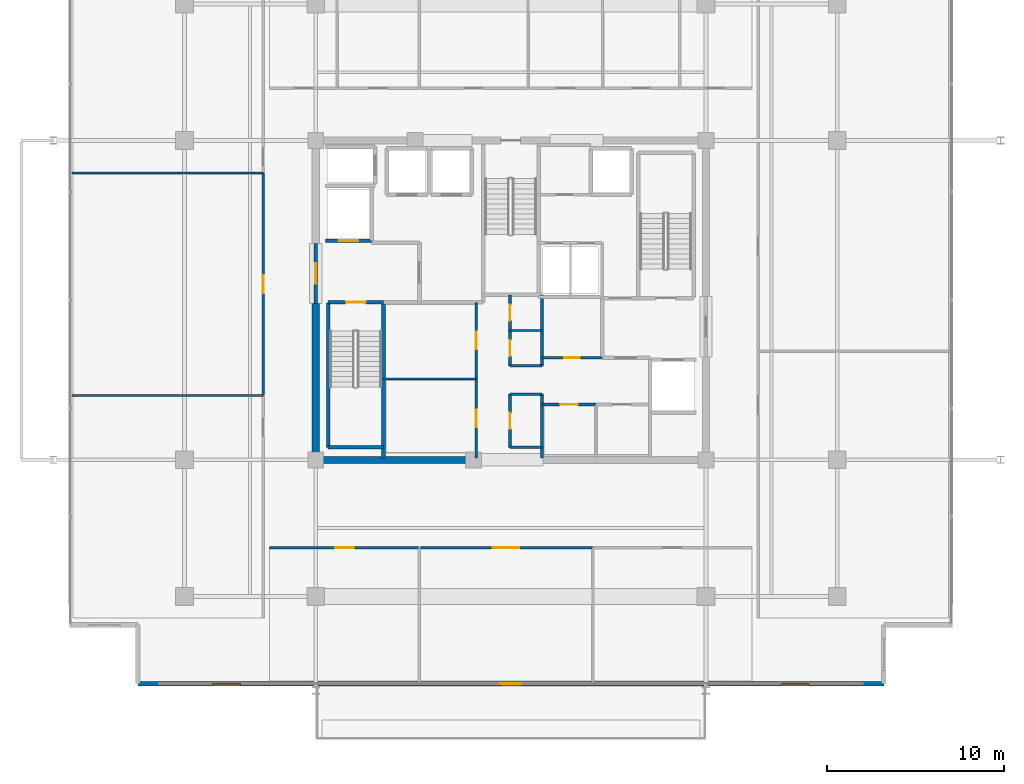
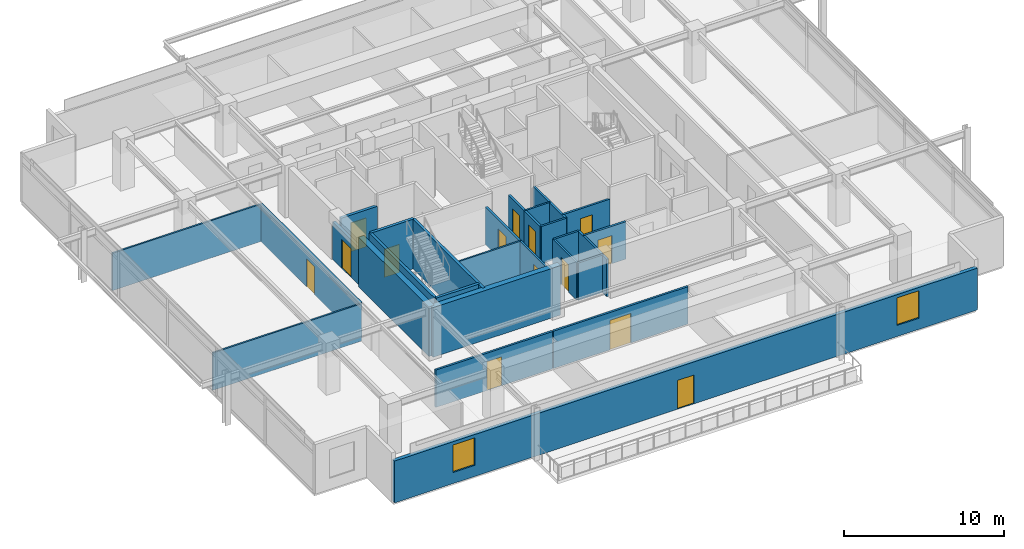
# One storey, part 14 of 21: 28 walls, 14 doors, 2 windows, 16 openings.
"""IFC4 building model written with IfcOpenShell, lengths in metres."""

from ifc_helpers import new_model, si_unit, direction, frame, frame_2d, origin, place, context, subcontext, project, spatial, rectangle, extrude, material, layer, layer_set, type_object, element, fill, save


model = new_model("IFC4")

# Units and contexts
model_context = context("Model", 3, precision=1e-05, world=origin(), true_north=direction((0.0, 1.0)))
body_context = subcontext(model_context, "Body", "Model", "MODEL_VIEW")
ifc_project = project(units=[si_unit("LENGTHUNIT", "METRE"), si_unit("AREAUNIT", "SQUARE_METRE"), si_unit("VOLUMEUNIT", "CUBIC_METRE"), si_unit("PLANEANGLEUNIT", "RADIAN"), si_unit("MASSUNIT", "GRAM", prefix="KILO")], contexts=[model_context])

# Site, building, storey
site_placement = place(None, origin())
site = spatial("IfcSite", under=ifc_project, at=site_placement, CompositionType="ELEMENT")
building_placement = place(site_placement, origin())
building = spatial("IfcBuilding", under=site, at=building_placement, Name="Kovane Verandah Tower", CompositionType="ELEMENT")
storey_placement = place(building_placement, frame((0.0, 0.0, 326.800048828125)))
storey = spatial("IfcBuildingStorey", under=building, at=storey_placement, Name="L76", CompositionType="ELEMENT", Elevation=326.800048828125)

# Walls
ifc_material_1 = material(Name="Fire-Rated Gypsum Stud Partition", Category="gypsum")
ifc_layer_1 = layer(ifc_material_1, 0.14990234375)
ifc_layer_set_1 = layer_set([ifc_layer_1], Name="Fire-Rated Gypsum Stud Partition")
wall_type_1 = type_object("IfcWallType", Name="WL-COR-150", PredefinedType="PARTITIONING", material=ifc_layer_set_1)
for number, where, z_axis, x_axis, name in (
    (1, (39.949951171875, 19.199951171875, 0.0), (0.0, 0.0, 1.0), (1.0, 0.0, 0.0), "L76 Central Core Strip South Wall"),
    (2, (39.949951171875, 22.199951171875, 0.0), (0.0, 0.0, 1.0), (1.0, 0.0, 0.0), "L76 Core Cross-Passage South Wall"),
    (3, (39.949951171875, 23.800048828125, 0.0), (0.0, 0.0, 1.0), (1.0, 0.0, 0.0), "L76 Core Cross-Passage North Wall"),
):
    element("IfcWall", number, at=place(storey_placement, frame(where, z_axis=z_axis, x_axis=x_axis)), inside=storey, type_object=wall_type_1, Name=name, PredefinedType="PARTITIONING", context=body_context, shape_type="SweptSolid", body=[
        extrude(rectangle(XDim=1.81005859375, YDim=0.14990234375, at=frame_2d((0.905029296875, 0.0))), origin(), (0.0, 0.0, 1.0), 2.849853515625),
    ])
wall_1_placement = place(storey_placement, frame((41.760009765625, 18.60009765625, 0.0), z_axis=(0.0, 0.0, 1.0), x_axis=(0.0, 1.0, 0.0)))
element("IfcWall", 4, at=wall_1_placement, inside=storey, type_object=wall_type_1, Name="L76 Central Core Strip Lower East Wall", PredefinedType="PARTITIONING", context=body_context, shape_type="SweptSolid", body=[
    extrude(rectangle(XDim=3.599853515625, YDim=0.14990234375, at=frame_2d((1.7998046875, 0.0))), origin(), (0.0, 0.0, 1.0), 2.849853515625),
])
wall_2_placement = place(storey_placement, frame((41.760009765625, 23.800048828125, 0.0), z_axis=(0.0, 0.0, 1.0), x_axis=(0.0, 1.0, 0.0)))
element("IfcWall", 5, at=wall_2_placement, inside=storey, type_object=wall_type_1, Name="L76 Central Core Strip Upper East Wall", PredefinedType="PARTITIONING", context=body_context, shape_type="SweptSolid", body=[
    extrude(rectangle(XDim=4.0, YDim=0.14990234375, at=frame_2d((2.0, 0.0))), origin(), (0.0, 0.0, 1.0), 2.849853515625),
])

# Wall, opening, door
wall_3_placement = place(storey_placement, frame((39.949951171875, 19.199951171875, 0.0), z_axis=(0.0, 0.0, 1.0), x_axis=(0.0, 1.0, 0.0)))
wall_3 = element("IfcWall", 6, at=wall_3_placement, inside=storey, type_object=wall_type_1, Name="L76 Male Toilet Partition", PredefinedType="PARTITIONING", context=body_context, shape_type="SweptSolid", body=[
    extrude(rectangle(XDim=3.0, YDim=0.14990234375, at=frame_2d((1.5, 0.0))), origin(), (0.0, 0.0, 1.0), 2.849853515625),
])
opening_1_placement = place(wall_3_placement, frame((1.050048828125, 0.0, 0.0)))
opening_1 = element("IfcOpeningElement", 7, at=opening_1_placement, cuts=wall_3, Name="Opening DR-L76-032", PredefinedType="OPENING", context=body_context, shape_type="SweptSolid", body=[
    extrude(rectangle(XDim=0.89990234375, YDim=2.10009765625, at=frame_2d((0.449951171875, 1.050048828125))), frame((0.0, 0.074951171875, 0.0), z_axis=(0.0, -1.0, 0.0), x_axis=(1.0, 0.0, 0.0)), (0.0, 0.0, 1.0), 0.14990234375),
])
ifc_material_2 = material(Name="Moisture-Resistant Laminate Washroom Door", Category="wood")
door_type_1 = type_object("IfcDoorType", Name="DR-WC-900", OperationType="SINGLE_SWING_LEFT", PredefinedType="DOOR", material=ifc_material_2)
door_1_placement = place(opening_1_placement, origin())
door_1 = element("IfcDoor", 8, at=door_1_placement, inside=storey, type_object=door_type_1, Name="L76 Male Toilet Door", OperationType="SINGLE_SWING_RIGHT", OverallHeight=2.10009765625, OverallWidth=0.89990234375, PredefinedType="DOOR", context=body_context, shape_type="SweptSolid", body=[
    extrude(rectangle(XDim=0.89990234375, YDim=2.10009765625, at=frame_2d((0.449951171875, 1.050048828125))), frame((0.0, 0.02490234375, 0.0), z_axis=(0.0, -1.0, 0.0), x_axis=(1.0, 0.0, 0.0)), (0.0, 0.0, 1.0), 0.050048828125),
])
fill(opening_1, door_1)

wall_4_placement = place(storey_placement, frame((39.949951171875, 23.800048828125, 0.0), z_axis=(0.0, 0.0, 1.0), x_axis=(0.0, 1.0, 0.0)))
wall_4 = element("IfcWall", 9, at=wall_4_placement, inside=storey, type_object=wall_type_1, Name="L76 Female Toilet Partition", PredefinedType="PARTITIONING", context=body_context, shape_type="SweptSolid", body=[
    extrude(rectangle(XDim=2.0, YDim=0.14990234375, at=frame_2d((1.0, 0.0))), origin(), (0.0, 0.0, 1.0), 2.849853515625),
])
opening_2_placement = place(wall_4_placement, frame((0.550048828125, 0.0, 0.0)))
opening_2 = element("IfcOpeningElement", 10, at=opening_2_placement, cuts=wall_4, Name="Opening DR-L76-031", PredefinedType="OPENING", context=body_context, shape_type="SweptSolid", body=[
    extrude(rectangle(XDim=0.89990234375, YDim=2.10009765625, at=frame_2d((0.449951171875, 1.050048828125))), frame((0.0, 0.074951171875, 0.0), z_axis=(0.0, -1.0, 0.0), x_axis=(1.0, 0.0, 0.0)), (0.0, 0.0, 1.0), 0.14990234375),
])
door_2_placement = place(opening_2_placement, origin())
door_2 = element("IfcDoor", 11, at=door_2_placement, inside=storey, type_object=door_type_1, Name="L76 Female Toilet Door", OperationType="SINGLE_SWING_LEFT", OverallHeight=2.10009765625, OverallWidth=0.89990234375, PredefinedType="DOOR", context=body_context, shape_type="SweptSolid", body=[
    extrude(rectangle(XDim=0.89990234375, YDim=2.10009765625, at=frame_2d((0.449951171875, 1.050048828125))), frame((0.0, 0.02490234375, 0.0), z_axis=(0.0, -1.0, 0.0), x_axis=(1.0, 0.0, 0.0)), (0.0, 0.0, 1.0), 0.050048828125),
])
fill(opening_2, door_2)

wall_5_placement = place(storey_placement, frame((39.949951171875, 25.800048828125, 0.0), z_axis=(0.0, 0.0, 1.0), x_axis=(0.0, 1.0, 0.0)))
wall_5 = element("IfcWall", 12, at=wall_5_placement, inside=storey, type_object=wall_type_1, Name="L76 Accessible Unisex Toilet Partition", PredefinedType="PARTITIONING", context=body_context, shape_type="SweptSolid", body=[
    extrude(rectangle(XDim=2.0, YDim=0.14990234375, at=frame_2d((1.0, 0.0))), origin(), (0.0, 0.0, 1.0), 2.849853515625),
])
opening_3_placement = place(wall_5_placement, frame((0.550048828125, 0.0, 0.0)))
opening_3 = element("IfcOpeningElement", 13, at=opening_3_placement, cuts=wall_5, Name="Opening DR-L76-030", PredefinedType="OPENING", context=body_context, shape_type="SweptSolid", body=[
    extrude(rectangle(XDim=0.89990234375, YDim=2.10009765625, at=frame_2d((0.449951171875, 1.050048828125))), frame((0.0, 0.074951171875, 0.0), z_axis=(0.0, -1.0, 0.0), x_axis=(1.0, 0.0, 0.0)), (0.0, 0.0, 1.0), 0.14990234375),
])
door_3_placement = place(opening_3_placement, origin())
door_3 = element("IfcDoor", 14, at=door_3_placement, inside=storey, type_object=door_type_1, Name="L76 Accessible Unisex Toilet Door", OperationType="SINGLE_SWING_RIGHT", OverallHeight=2.10009765625, OverallWidth=0.89990234375, PredefinedType="DOOR", context=body_context, shape_type="SweptSolid", body=[
    extrude(rectangle(XDim=0.89990234375, YDim=2.10009765625, at=frame_2d((0.449951171875, 1.050048828125))), frame((0.0, 0.02490234375, 0.0), z_axis=(0.0, -1.0, 0.0), x_axis=(1.0, 0.0, 0.0)), (0.0, 0.0, 1.0), 0.050048828125),
])
fill(opening_3, door_3)

wall_6_placement = place(storey_placement, frame((38.050048828125, 18.60009765625, 0.0), z_axis=(0.0, 0.0, 1.0), x_axis=(0.0, 1.0, 0.0)))
wall_6 = element("IfcWall", 15, at=wall_6_placement, inside=storey, type_object=wall_type_1, Name="L76 IT Server Room Partition", PredefinedType="PARTITIONING", context=body_context, shape_type="SweptSolid", body=[
    extrude(rectangle(XDim=4.4599609375, YDim=0.14990234375, at=frame_2d((2.22998046875, 0.0))), origin(), (0.0, 0.0, 1.0), 2.849853515625),
])
opening_4_placement = place(wall_6_placement, frame((1.72998046875, 0.0, 0.0)))
opening_4 = element("IfcOpeningElement", 16, at=opening_4_placement, cuts=wall_6, Name="Opening DR-L76-013", PredefinedType="OPENING", context=body_context, shape_type="SweptSolid", body=[
    extrude(rectangle(XDim=1.0, YDim=2.14990234375, at=frame_2d((0.5, 1.074951171875))), frame((0.0, 0.074951171875, 0.0), z_axis=(0.0, -1.0, 0.0), x_axis=(1.0, 0.0, 0.0)), (0.0, 0.0, 1.0), 0.14990234375),
])
ifc_material_3 = material(Name="FSC Spotted-Gum Timber Fire-Rated Office Door", Category="wood")
door_type_2 = type_object("IfcDoorType", Name="DR-OFF-1000", OperationType="SINGLE_SWING_LEFT", PredefinedType="DOOR", material=ifc_material_3)
door_4_placement = place(opening_4_placement, origin())
door_4 = element("IfcDoor", 17, at=door_4_placement, inside=storey, type_object=door_type_2, Name="L76 IT Server Room Door", OperationType="SINGLE_SWING_LEFT", OverallHeight=2.14990234375, OverallWidth=1.0, PredefinedType="DOOR", context=body_context, shape_type="SweptSolid", body=[
    extrude(rectangle(XDim=1.0, YDim=2.14990234375, at=frame_2d((0.5, 1.074951171875))), frame((0.0, 0.02490234375, 0.0), z_axis=(0.0, -1.0, 0.0), x_axis=(1.0, 0.0, 0.0)), (0.0, 0.0, 1.0), 0.050048828125),
])
fill(opening_4, door_4)

wall_7_placement = place(storey_placement, frame((38.050048828125, 23.06005859375, 0.0), z_axis=(0.0, 0.0, 1.0), x_axis=(0.0, 1.0, 0.0)))
wall_7 = element("IfcWall", 18, at=wall_7_placement, inside=storey, type_object=wall_type_1, Name="L76 Telecom MDF Room Partition", PredefinedType="PARTITIONING", context=body_context, shape_type="SweptSolid", body=[
    extrude(rectangle(XDim=4.31982421875, YDim=0.14990234375, at=frame_2d((2.159912109375, 0.0))), origin(), (0.0, 0.0, 1.0), 2.849853515625),
])
opening_5_placement = place(wall_7_placement, frame((1.659912109375, 0.0, 0.0)))
opening_5 = element("IfcOpeningElement", 19, at=opening_5_placement, cuts=wall_7, Name="Opening DR-L76-014", PredefinedType="OPENING", context=body_context, shape_type="SweptSolid", body=[
    extrude(rectangle(XDim=1.0, YDim=2.14990234375, at=frame_2d((0.5, 1.074951171875))), frame((0.0, 0.074951171875, 0.0), z_axis=(0.0, -1.0, 0.0), x_axis=(1.0, 0.0, 0.0)), (0.0, 0.0, 1.0), 0.14990234375),
])
door_5_placement = place(opening_5_placement, origin())
door_5 = element("IfcDoor", 20, at=door_5_placement, inside=storey, type_object=door_type_2, Name="L76 Telecom MDF Room Door", OperationType="SINGLE_SWING_RIGHT", OverallHeight=2.14990234375, OverallWidth=1.0, PredefinedType="DOOR", context=body_context, shape_type="SweptSolid", body=[
    extrude(rectangle(XDim=1.0, YDim=2.14990234375, at=frame_2d((0.5, 1.074951171875))), frame((0.0, 0.02490234375, 0.0), z_axis=(0.0, -1.0, 0.0), x_axis=(1.0, 0.0, 0.0)), (0.0, 0.0, 1.0), 0.050048828125),
])
fill(opening_5, door_5)

wall_8_placement = place(storey_placement, frame((41.760009765625, 21.6201171875, 0.0), z_axis=(0.0, 0.0, 1.0), x_axis=(1.0, 0.0, 0.0)))
wall_8 = element("IfcWall", 21, at=wall_8_placement, inside=storey, type_object=wall_type_1, Name="L76 AV Control Room Partition", PredefinedType="PARTITIONING", context=body_context, shape_type="SweptSolid", body=[
    extrude(rectangle(XDim=3.0400390625, YDim=0.14990234375, at=frame_2d((1.52001953125, 0.0))), origin(), (0.0, 0.0, 1.0), 2.849853515625),
])
opening_6_placement = place(wall_8_placement, frame((1.02001953125, 0.0, 0.0)))
opening_6 = element("IfcOpeningElement", 22, at=opening_6_placement, cuts=wall_8, Name="Opening DR-L76-015", PredefinedType="OPENING", context=body_context, shape_type="SweptSolid", body=[
    extrude(rectangle(XDim=1.0, YDim=2.14990234375, at=frame_2d((0.5, 1.074951171875))), frame((0.0, 0.074951171875, 0.0), z_axis=(0.0, -1.0, 0.0), x_axis=(1.0, 0.0, 0.0)), (0.0, 0.0, 1.0), 0.14990234375),
])
door_6_placement = place(opening_6_placement, origin())
door_6 = element("IfcDoor", 23, at=door_6_placement, inside=storey, type_object=door_type_2, Name="L76 AV Control Room Door", OperationType="SINGLE_SWING_LEFT", OverallHeight=2.14990234375, OverallWidth=1.0, PredefinedType="DOOR", context=body_context, shape_type="SweptSolid", body=[
    extrude(rectangle(XDim=1.0, YDim=2.14990234375, at=frame_2d((0.5, 1.074951171875))), frame((0.0, 0.02490234375, 0.0), z_axis=(0.0, -1.0, 0.0), x_axis=(1.0, 0.0, 0.0)), (0.0, 0.0, 1.0), 0.050048828125),
])
fill(opening_6, door_6)

wall_9_placement = place(storey_placement, frame((41.760009765625, 24.25, 0.0), z_axis=(0.0, 0.0, 1.0), x_axis=(1.0, 0.0, 0.0)))
wall_9 = element("IfcWall", 24, at=wall_9_placement, inside=storey, type_object=wall_type_1, Name="L76 Cleaner Store Partition", PredefinedType="PARTITIONING", context=body_context, shape_type="SweptSolid", body=[
    extrude(rectangle(XDim=3.389892578125, YDim=0.14990234375, at=frame_2d((1.69482421875, 0.0))), origin(), (0.0, 0.0, 1.0), 2.849853515625),
])
opening_7_placement = place(wall_9_placement, frame((1.2548828125, 0.0, 0.0)))
opening_7 = element("IfcOpeningElement", 25, at=opening_7_placement, cuts=wall_9, Name="Opening DR-L76-017", PredefinedType="OPENING", context=body_context, shape_type="SweptSolid", body=[
    extrude(rectangle(XDim=0.8798828125, YDim=2.10009765625, at=frame_2d((0.43994140625, 1.050048828125))), frame((0.0, 0.074951171875, 0.0), z_axis=(0.0, -1.0, 0.0), x_axis=(1.0, 0.0, 0.0)), (0.0, 0.0, 1.0), 0.14990234375),
])
ifc_material_4 = material(Name="Fire-Rated Steel Riser Access Door", Category="steel")
door_type_3 = type_object("IfcDoorType", Name="DR-RISER-880", OperationType="SINGLE_SWING_LEFT", PredefinedType="DOOR", material=ifc_material_4)
door_7_placement = place(opening_7_placement, origin())
door_7 = element("IfcDoor", 26, at=door_7_placement, inside=storey, type_object=door_type_3, Name="L76 Cleaner Store Door", OperationType="SINGLE_SWING_LEFT", OverallHeight=2.10009765625, OverallWidth=0.8798828125, PredefinedType="DOOR", context=body_context, shape_type="SweptSolid", body=[
    extrude(rectangle(XDim=0.8798828125, YDim=2.10009765625, at=frame_2d((0.43994140625, 1.050048828125))), frame((0.0, 0.02490234375, 0.0), z_axis=(0.0, -1.0, 0.0), x_axis=(1.0, 0.0, 0.0)), (0.0, 0.0, 1.0), 0.050048828125),
])
fill(opening_7, door_7)

wall_10_placement = place(storey_placement, frame((26.39990234375, 13.550048828125, 0.0), z_axis=(0.0, 0.0, 1.0), x_axis=(1.0, 0.0, 0.0)))
wall_10 = element("IfcWall", 27, at=wall_10_placement, inside=storey, type_object=wall_type_1, Name="L76 Executive Office S1 Corridor Partition", PredefinedType="PARTITIONING", context=body_context, shape_type="SweptSolid", body=[
    extrude(rectangle(XDim=8.43212890625, YDim=0.14990234375, at=frame_2d((4.216064453125, 0.0))), origin(), (0.0, 0.0, 1.0), 2.849853515625),
])
opening_8_placement = place(wall_10_placement, frame((3.7060546875, 0.0, 0.0)))
opening_8 = element("IfcOpeningElement", 28, at=opening_8_placement, cuts=wall_10, Name="Opening DR-L76-027", PredefinedType="OPENING", context=body_context, shape_type="SweptSolid", body=[
    extrude(rectangle(XDim=1.050048828125, YDim=2.199951171875, at=frame_2d((0.52490234375, 1.10009765625))), frame((0.0, 0.074951171875, 0.0), z_axis=(0.0, -1.0, 0.0), x_axis=(1.0, 0.0, 0.0)), (0.0, 0.0, 1.0), 0.14990234375),
])
ifc_material_5 = material(Name="FSC Blackbutt Timber Fire-Rated Executive Door", Category="wood")
door_type_4 = type_object("IfcDoorType", Name="DR-EXEC-1050", OperationType="SINGLE_SWING_LEFT", PredefinedType="DOOR", material=ifc_material_5)
door_8_placement = place(opening_8_placement, origin())
door_8 = element("IfcDoor", 29, at=door_8_placement, inside=storey, type_object=door_type_4, Name="L76 Executive Office S1 Entrance Door", OperationType="SINGLE_SWING_LEFT", OverallHeight=2.199951171875, OverallWidth=1.050048828125, PredefinedType="DOOR", context=body_context, shape_type="SweptSolid", body=[
    extrude(rectangle(XDim=1.050048828125, YDim=2.199951171875, at=frame_2d((0.52490234375, 1.10009765625))), frame((0.0, 0.02490234375, 0.0), z_axis=(0.0, -1.0, 0.0), x_axis=(1.0, 0.0, 0.0)), (0.0, 0.0, 1.0), 0.050048828125),
])
fill(opening_8, door_8)

wall_11_placement = place(storey_placement, frame((34.902099609375, 13.550048828125, 0.0), z_axis=(0.0, 0.0, 1.0), x_axis=(1.0, 0.0, 0.0)))
wall_11 = element("IfcWall", 30, at=wall_11_placement, inside=storey, type_object=wall_type_1, Name="L76 Client Boardroom S2 Corridor Partition", PredefinedType="PARTITIONING", context=body_context, shape_type="SweptSolid", body=[
    extrude(rectangle(XDim=9.721923828125, YDim=0.14990234375, at=frame_2d((4.86083984375, 0.0))), origin(), (0.0, 0.0, 1.0), 2.849853515625),
])
opening_9_placement = place(wall_11_placement, frame((4.075927734375, 0.0, 0.0)))
opening_9 = element("IfcOpeningElement", 31, at=opening_9_placement, cuts=wall_11, Name="Opening DR-L76-028", PredefinedType="OPENING", context=body_context, shape_type="SweptSolid", body=[
    extrude(rectangle(XDim=1.5, YDim=2.25, at=frame_2d((0.75, 1.125))), frame((0.0, 0.074951171875, 0.0), z_axis=(0.0, -1.0, 0.0), x_axis=(1.0, 0.0, 0.0)), (0.0, 0.0, 1.0), 0.14990234375),
])
ifc_material_6 = material(Name="Glazed Timber Fire-Rated Double Door", Category="wood")
door_type_5 = type_object("IfcDoorType", Name="DR-CONF-1500", OperationType="DOUBLE_DOOR_SINGLE_SWING", PredefinedType="DOOR", material=ifc_material_6)
door_9_placement = place(opening_9_placement, origin())
door_9 = element("IfcDoor", 32, at=door_9_placement, inside=storey, type_object=door_type_5, Name="L76 Client Boardroom S2 Entrance Door", OperationType="DOUBLE_DOOR_SINGLE_SWING", OverallHeight=2.25, OverallWidth=1.5, PredefinedType="DOOR", context=body_context, shape_type="SweptSolid", body=[
    extrude(rectangle(XDim=1.5, YDim=2.25, at=frame_2d((0.75, 1.125))), frame((0.0, 0.02490234375, 0.0), z_axis=(0.0, -1.0, 0.0), x_axis=(1.0, 0.0, 0.0)), (0.0, 0.0, 1.0), 0.050048828125),
])
fill(opening_9, door_9)

wall_12_placement = place(storey_placement, frame((26.050048828125, 22.1953125, 0.0), z_axis=(0.0, 0.0, 1.0), x_axis=(0.0, 1.0, 0.0)))
wall_12 = element("IfcWall", 33, at=wall_12_placement, inside=storey, type_object=wall_type_1, Name="L76 Breakout Pantry W2 Corridor Partition", PredefinedType="PARTITIONING", context=body_context, shape_type="SweptSolid", body=[
    extrude(rectangle(XDim=12.470947265625, YDim=0.14990234375, at=frame_2d((6.2353515625, 0.0))), origin(), (0.0, 0.0, 1.0), 2.849853515625),
])
opening_10_placement = place(wall_12_placement, frame((5.700439453125, 0.0, 0.0)))
opening_10 = element("IfcOpeningElement", 34, at=opening_10_placement, cuts=wall_12, Name="Opening DR-L76-034", PredefinedType="OPENING", context=body_context, shape_type="SweptSolid", body=[
    extrude(rectangle(XDim=1.0, YDim=2.14990234375, at=frame_2d((0.5, 1.074951171875))), frame((0.0, 0.074951171875, 0.0), z_axis=(0.0, -1.0, 0.0), x_axis=(1.0, 0.0, 0.0)), (0.0, 0.0, 1.0), 0.14990234375),
])
door_10_placement = place(opening_10_placement, origin())
door_10 = element("IfcDoor", 35, at=door_10_placement, inside=storey, type_object=door_type_2, Name="L76 Breakout Pantry W2 Entrance Door", OperationType="SINGLE_SWING_LEFT", OverallHeight=2.14990234375, OverallWidth=1.0, PredefinedType="DOOR", context=body_context, shape_type="SweptSolid", body=[
    extrude(rectangle(XDim=1.0, YDim=2.14990234375, at=frame_2d((0.5, 1.074951171875))), frame((0.0, 0.02490234375, 0.0), z_axis=(0.0, -1.0, 0.0), x_axis=(1.0, 0.0, 0.0)), (0.0, 0.0, 1.0), 0.050048828125),
])
fill(opening_10, door_10)

# Walls
ifc_material_7 = material(Name="Concrete C60/75", Category="concrete")
ifc_layer_2 = layer(ifc_material_7, 0.39990234375)
ifc_layer_set_2 = layer_set([ifc_layer_2], Name="Concrete C60/75")
wall_type_2 = type_object("IfcWallType", Name="WL-CORE-400", PredefinedType="SHEAR", material=ifc_layer_set_2)
wall_13_placement = place(storey_placement, frame((29.0, 18.5, 0.0), z_axis=(0.0, 0.0, 1.0), x_axis=(1.0, 0.0, 0.0)))
element("IfcWall", 36, at=wall_13_placement, inside=storey, type_object=wall_type_2, Name="L76 Core Shear Wall CS-1", PredefinedType="SHEAR", context=body_context, shape_type="SweptSolid", body=[
    extrude(rectangle(XDim=9.199951171875, YDim=0.39990234375, at=frame_2d((4.60009765625, 0.0))), origin(), (0.0, 0.0, 1.0), 3.784912109375),
])
wall_14_placement = place(storey_placement, frame((29.0, 18.5, 0.0), z_axis=(0.0, 0.0, 1.0), x_axis=(0.0, 1.0, 0.0)))
element("IfcWall", 37, at=wall_14_placement, inside=storey, type_object=wall_type_2, Name="L76 Core Shear Wall CW-1", PredefinedType="SHEAR", context=body_context, shape_type="SweptSolid", body=[
    extrude(rectangle(XDim=8.800048828125, YDim=0.39990234375, at=frame_2d((4.39990234375, 0.0))), origin(), (0.0, 0.0, 1.0), 3.784912109375),
])

# Wall, opening, door
ifc_material_8 = material(Name="Concrete C45/55 Fire Wall", Category="concrete")
ifc_layer_3 = layer(ifc_material_8, 0.199951171875)
ifc_layer_set_3 = layer_set([ifc_layer_3], Name="Concrete C45/55 Fire Wall")
wall_type_3 = type_object("IfcWallType", Name="WL-FFL-200", PredefinedType="PARTITIONING", material=ifc_layer_set_3)
wall_15_placement = place(storey_placement, frame((29.0, 27.300048828125, 0.0), z_axis=(0.0, 0.0, 1.0), x_axis=(0.0, 1.0, 0.0)))
wall_15 = element("IfcWall", 38, at=wall_15_placement, inside=storey, type_object=wall_type_3, Name="W-L76-FFLW-OUT", PredefinedType="PARTITIONING", context=body_context, shape_type="SweptSolid", body=[
    extrude(rectangle(XDim=3.39990234375, YDim=0.199951171875, at=frame_2d((1.699951171875, 0.0))), origin(), (0.0, 0.0, 1.0), 2.864990234375),
])
opening_11_placement = place(wall_15_placement, frame((1.125, 0.0, 0.0)))
opening_11 = element("IfcOpeningElement", 39, at=opening_11_placement, cuts=wall_15, Name="Opening DR-L76-007", PredefinedType="OPENING", context=body_context, shape_type="SweptSolid", body=[
    extrude(rectangle(XDim=1.14990234375, YDim=2.199951171875, at=frame_2d((0.574951171875, 1.10009765625))), frame((0.0, 0.10009765625, 0.0), z_axis=(0.0, -1.0, 0.0), x_axis=(1.0, 0.0, 0.0)), (0.0, 0.0, 1.0), 0.199951171875),
])
ifc_material_9 = material(Name="Smoke-Sealed Firefighting Lobby Door", Category="steel")
door_type_6 = type_object("IfcDoorType", Name="DR-FFL-1150", OperationType="SINGLE_SWING_LEFT", PredefinedType="DOOR", material=ifc_material_9)
door_11_placement = place(opening_11_placement, origin())
door_11 = element("IfcDoor", 40, at=door_11_placement, inside=storey, type_object=door_type_6, Name="L76 West Firefighting Lobby Corridor Door", OperationType="SINGLE_SWING_RIGHT", OverallHeight=2.199951171875, OverallWidth=1.14990234375, PredefinedType="DOOR", context=body_context, shape_type="SweptSolid", body=[
    extrude(rectangle(XDim=1.14990234375, YDim=2.199951171875, at=frame_2d((0.574951171875, 1.10009765625))), frame((0.0, 0.02490234375, 0.0), z_axis=(0.0, -1.0, 0.0), x_axis=(1.0, 0.0, 0.0)), (0.0, 0.0, 1.0), 0.050048828125),
])
fill(opening_11, door_11)

ifc_material_10 = material(Name="Concrete C45/55 Lift Shaft Wall", Category="concrete")
ifc_layer_4 = layer(ifc_material_10, 0.199951171875)
ifc_layer_set_4 = layer_set([ifc_layer_4], Name="Concrete C45/55 Lift Shaft Wall")
wall_type_4 = type_object("IfcWallType", Name="WL-LIFT-200", PredefinedType="SOLIDWALL", material=ifc_layer_set_4)
wall_16_placement = place(storey_placement, frame((29.550048828125, 30.85009765625, 0.0), z_axis=(0.0, 0.0, 1.0), x_axis=(1.0, 0.0, 0.0)))
wall_16 = element("IfcWall", 41, at=wall_16_placement, inside=storey, type_object=wall_type_4, Name="L76 Lift FL-01 S Shaft Wall", PredefinedType="SOLIDWALL", context=body_context, shape_type="SweptSolid", body=[
    extrude(rectangle(XDim=2.599853515625, YDim=0.199951171875, at=frame_2d((1.2998046875, 0.0))), origin(), (0.0, 0.0, 1.0), 2.864990234375),
])
opening_12_placement = place(wall_16_placement, frame((0.75, 0.0, 0.0)))
opening_12 = element("IfcOpeningElement", 42, at=opening_12_placement, cuts=wall_16, Name="Opening LD-L76-001", PredefinedType="OPENING", context=body_context, shape_type="SweptSolid", body=[
    extrude(rectangle(XDim=1.10009765625, YDim=2.199951171875, at=frame_2d((0.550048828125, 1.10009765625))), frame((0.0, 0.10009765625, 0.0), z_axis=(0.0, -1.0, 0.0), x_axis=(1.0, 0.0, 0.0)), (0.0, 0.0, 1.0), 0.199951171875),
])
ifc_material_11 = material(Name="Brushed Stainless Steel Sliding Lift Landing Door", Category="steel")
door_type_7 = type_object("IfcDoorType", Name="DR-LIFT-1100", OperationType="SLIDING_TO_RIGHT", PredefinedType="DOOR", material=ifc_material_11)
door_12_placement = place(opening_12_placement, origin())
door_12 = element("IfcDoor", 43, at=door_12_placement, inside=storey, type_object=door_type_7, Name="L76 Lift FL-01 Sliding Landing Door", OperationType="SLIDING_TO_RIGHT", OverallHeight=2.199951171875, OverallWidth=1.10009765625, PredefinedType="DOOR", context=body_context, shape_type="SweptSolid", body=[
    extrude(rectangle(XDim=1.10009765625, YDim=2.199951171875, at=frame_2d((0.550048828125, 1.10009765625))), frame((0.0, 0.02490234375, 0.0), z_axis=(0.0, -1.0, 0.0), x_axis=(1.0, 0.0, 0.0)), (0.0, 0.0, 1.0), 0.050048828125),
])
fill(opening_12, door_12)

# Walls
ifc_material_12 = material(Name="Acoustic Fire-Rated Gypsum Partition", Category="gypsum")
ifc_layer_5 = layer(ifc_material_12, 0.1201171875)
ifc_layer_set_5 = layer_set([ifc_layer_5], Name="Acoustic Fire-Rated Gypsum Partition")
wall_type_5 = type_object("IfcWallType", Name="WL-PART-120", PredefinedType="PARTITIONING", material=ifc_layer_set_5)
wall_17_placement = place(storey_placement, frame((39.949951171875, 25.800048828125, 0.0), z_axis=(0.0, 0.0, 1.0), x_axis=(1.0, 0.0, 0.0)))
element("IfcWall", 44, at=wall_17_placement, inside=storey, type_object=wall_type_5, Name="L76 Central Core Strip Upper Dividing Partition", PredefinedType="PARTITIONING", context=body_context, shape_type="SweptSolid", body=[
    extrude(rectangle(XDim=1.81005859375, YDim=0.1201171875, at=frame_2d((0.905029296875, 0.0))), origin(), (0.0, 0.0, 1.0), 2.849853515625),
])
wall_18_placement = place(storey_placement, frame((32.820068359375, 23.06005859375, 0.0), z_axis=(0.0, 0.0, 1.0), x_axis=(1.0, 0.0, 0.0)))
element("IfcWall", 45, at=wall_18_placement, inside=storey, type_object=wall_type_5, Name="L76 Core Support Dividing Partition", PredefinedType="PARTITIONING", context=body_context, shape_type="SweptSolid", body=[
    extrude(rectangle(XDim=5.22998046875, YDim=0.1201171875, at=frame_2d((2.614990234375, 0.0))), origin(), (0.0, 0.0, 1.0), 2.849853515625),
])
for number, where, z_axis, x_axis, name in (
    (46, (15.2685546875, 22.125244140625, 0.0), (0.0, 0.0, 1.0), (1.0, 0.0, 0.0), "L76 Focus Studio W1 Dividing Partition"),
    (47, (15.2685546875, 34.666259765625, 0.0), (0.0, 0.0, 1.0), (1.0, 0.0, 0.0), "L76 Breakout Pantry W2 Dividing Partition"),
):
    element("IfcWall", number, at=place(storey_placement, frame(where, z_axis=z_axis, x_axis=x_axis)), inside=storey, type_object=wall_type_5, Name=name, PredefinedType="PARTITIONING", context=body_context, shape_type="SweptSolid", body=[
        extrude(rectangle(XDim=10.781494140625, YDim=0.1201171875, at=frame_2d((5.390625, 0.0))), origin(), (0.0, 0.0, 1.0), 2.849853515625),
    ])
ifc_material_13 = material(Name="Concrete C45/55", Category="concrete")
ifc_layer_6 = layer(ifc_material_13, 0.199951171875)
ifc_layer_set_6 = layer_set([ifc_layer_6], Name="Concrete C45/55")
wall_type_6 = type_object("IfcWallType", Name="WL-SHAFT-200", PredefinedType="SOLIDWALL", material=ifc_layer_set_6)
wall_19_placement = place(storey_placement, frame((29.699951171875, 19.199951171875, 0.0), z_axis=(0.0, 0.0, 1.0), x_axis=(0.0, 1.0, 0.0)))
element("IfcWall", 48, at=wall_19_placement, inside=storey, type_object=wall_type_6, Name="W-L76-ST01-W", PredefinedType="SOLIDWALL", context=body_context, shape_type="SweptSolid", body=[
    extrude(rectangle(XDim=8.150146484375, YDim=0.199951171875, at=frame_2d((4.0751953125, 0.0))), origin(), (0.0, 0.0, 1.0), 3.784912109375),
])
wall_20_placement = place(storey_placement, frame((29.699951171875, 19.199951171875, 0.0), z_axis=(0.0, 0.0, 1.0), x_axis=(1.0, 0.0, 0.0)))
element("IfcWall", 49, at=wall_20_placement, inside=storey, type_object=wall_type_6, Name="W-L76-ST01-S", PredefinedType="SOLIDWALL", context=body_context, shape_type="SweptSolid", body=[
    extrude(rectangle(XDim=3.1201171875, YDim=0.199951171875, at=frame_2d((1.56005859375, 0.0))), origin(), (0.0, 0.0, 1.0), 3.784912109375),
])
wall_21_placement = place(storey_placement, frame((32.820068359375, 18.60009765625, 0.0), z_axis=(0.0, 0.0, 1.0), x_axis=(0.0, 1.0, 0.0)))
element("IfcWall", 50, at=wall_21_placement, inside=storey, type_object=wall_type_6, Name="W-L76-ST01-E", PredefinedType="SOLIDWALL", context=body_context, shape_type="SweptSolid", body=[
    extrude(rectangle(XDim=8.77978515625, YDim=0.199951171875, at=frame_2d((4.389892578125, 0.0))), origin(), (0.0, 0.0, 1.0), 3.784912109375),
])

# Wall, opening, door
wall_22_placement = place(storey_placement, frame((29.699951171875, 27.3798828125, 0.0), z_axis=(0.0, 0.0, 1.0), x_axis=(1.0, 0.0, 0.0)))
wall_22 = element("IfcWall", 51, at=wall_22_placement, inside=storey, type_object=wall_type_6, Name="W-L76-ST01-N", PredefinedType="SOLIDWALL", context=body_context, shape_type="SweptSolid", body=[
    extrude(rectangle(XDim=3.1201171875, YDim=0.199951171875, at=frame_2d((1.56005859375, 0.0))), origin(), (0.0, 0.0, 1.0), 3.784912109375),
])
opening_13_placement = place(wall_22_placement, frame((1.010009765625, 0.0, 0.0)))
opening_13 = element("IfcOpeningElement", 52, at=opening_13_placement, cuts=wall_22, Name="Opening DR-L76-008", PredefinedType="OPENING", context=body_context, shape_type="SweptSolid", body=[
    extrude(rectangle(XDim=1.10009765625, YDim=2.14990234375, at=frame_2d((0.550048828125, 1.074951171875))), frame((0.0, 0.10009765625, 0.0), z_axis=(0.0, -1.0, 0.0), x_axis=(1.0, 0.0, 0.0)), (0.0, 0.0, 1.0), 0.199951171875),
])
ifc_material_14 = material(Name="Fire-Rated Steel Exit Door", Category="steel")
door_type_8 = type_object("IfcDoorType", Name="DR-STAIR-1100", OperationType="SINGLE_SWING_LEFT", PredefinedType="DOOR", material=ifc_material_14)
door_13_placement = place(opening_13_placement, origin())
door_13 = element("IfcDoor", 53, at=door_13_placement, inside=storey, type_object=door_type_8, Name="L76 ST-01 Fire Exit Stair Door", OperationType="SINGLE_SWING_LEFT", OverallHeight=2.14990234375, OverallWidth=1.10009765625, PredefinedType="DOOR", context=body_context, shape_type="SweptSolid", body=[
    extrude(rectangle(XDim=1.10009765625, YDim=2.14990234375, at=frame_2d((0.550048828125, 1.074951171875))), frame((0.0, 0.02490234375, 0.0), z_axis=(0.0, -1.0, 0.0), x_axis=(1.0, 0.0, 0.0)), (0.0, 0.0, 1.0), 0.050048828125),
])
fill(opening_13, door_13)

# Wall, openings, door, windows
ifc_material_15 = material(Name="Concrete C45/55 Insulated Spandrel Wall", Category="concrete")
ifc_layer_7 = layer(ifc_material_15, 0.260009765625)
ifc_layer_set_7 = layer_set([ifc_layer_7], Name="Concrete C45/55 Insulated Spandrel Wall")
wall_type_7 = type_object("IfcWallType", Name="WL-SPANDREL-260", PredefinedType="PARAPET", material=ifc_layer_set_7)
wall_23_placement = place(storey_placement, frame((18.968505859375, 5.88427734375, 0.0), z_axis=(0.0, 0.0, 1.0), x_axis=(1.0, 0.0, 0.0)))
wall_23 = element("IfcWall", 54, at=wall_23_placement, inside=storey, type_object=wall_type_7, Name="L76 S Verandah Access Facade Wall", PredefinedType="PARAPET", context=body_context, shape_type="SweptSolid", body=[
    extrude(rectangle(XDim=42.06298828125, YDim=0.260009765625, at=frame_2d((21.031494140625, 0.0))), origin(), (0.0, 0.0, 1.0), 3.195556640625),
])
opening_14_placement = place(wall_23_placement, frame((4.199951171875, 0.0, 0.85009765625)))
opening_14 = element("IfcOpeningElement", 55, at=opening_14_placement, cuts=wall_23, Name="Opening W-02", PredefinedType="OPENING", context=body_context, shape_type="SweptSolid", body=[
    extrude(rectangle(XDim=1.60009765625, YDim=2.10009765625, at=frame_2d((0.800048828125, 1.050048828125))), frame((0.0, 0.1298828125, 0.0), z_axis=(0.0, -1.0, 0.0), x_axis=(1.0, 0.0, 0.0)), (0.0, 0.0, 1.0), 0.260009765625),
])
opening_15_placement = place(wall_23_placement, frame((20.431396484375, 0.0, 0.0)))
opening_15 = element("IfcOpeningElement", 56, at=opening_15_placement, cuts=wall_23, Name="Opening DR-L76-002", PredefinedType="OPENING", context=body_context, shape_type="SweptSolid", body=[
    extrude(rectangle(XDim=1.199951171875, YDim=2.199951171875, at=frame_2d((0.60009765625, 1.10009765625))), frame((0.0, 0.1298828125, 0.0), z_axis=(0.0, -1.0, 0.0), x_axis=(1.0, 0.0, 0.0)), (0.0, 0.0, 1.0), 0.260009765625),
])
opening_16_placement = place(wall_23_placement, frame((36.262939453125, 0.0, 0.85009765625)))
opening_16 = element("IfcOpeningElement", 57, at=opening_16_placement, cuts=wall_23, Name="Opening W-02", PredefinedType="OPENING", context=body_context, shape_type="SweptSolid", body=[
    extrude(rectangle(XDim=1.60009765625, YDim=2.10009765625, at=frame_2d((0.800048828125, 1.050048828125))), frame((0.0, 0.1298828125, 0.0), z_axis=(0.0, -1.0, 0.0), x_axis=(1.0, 0.0, 0.0)), (0.0, 0.0, 1.0), 0.260009765625),
])
ifc_material_16 = material(Name="Cyclone-Rated Glazed Balcony Leaf Door", Category="aluminium")
door_type_9 = type_object("IfcDoorType", Name="DR-BAL-1200x2200", OperationType="SINGLE_SWING_LEFT", PredefinedType="DOOR", material=ifc_material_16)
door_14_placement = place(opening_15_placement, origin())
door_14 = element("IfcDoor", 58, at=door_14_placement, inside=storey, type_object=door_type_9, Name="L76 S Planted Balcony Access Door", OperationType="SINGLE_SWING_LEFT", OverallHeight=2.199951171875, OverallWidth=1.199951171875, PredefinedType="DOOR", context=body_context, shape_type="SweptSolid", body=[
    extrude(rectangle(XDim=1.199951171875, YDim=2.199951171875, at=frame_2d((0.60009765625, 1.10009765625))), frame((0.0, 0.02490234375, 0.0), z_axis=(0.0, -1.0, 0.0), x_axis=(1.0, 0.0, 0.0)), (0.0, 0.0, 1.0), 0.050048828125),
])
fill(opening_15, door_14)
ifc_material_17 = material(Name="Clear Low-E Laminated Double Glazing in Anodised Frame", Category="glass")
window_type = type_object("IfcWindowType", Name="WN-OPER-1600x2100", PartitioningType="SINGLE_PANEL", PredefinedType="WINDOW", material=ifc_material_17)
window_1_placement = place(opening_14_placement, origin())
window_1 = element("IfcWindow", 59, at=window_1_placement, inside=storey, type_object=window_type, Name="L76 S Verandah View Window 1", OverallHeight=2.10009765625, OverallWidth=1.60009765625, PartitioningType="SINGLE_PANEL", PredefinedType="WINDOW", context=body_context, shape_type="SweptSolid", body=[
    extrude(rectangle(XDim=1.60009765625, YDim=2.10009765625, at=frame_2d((0.800048828125, 1.050048828125))), frame((0.0, 0.030029296875, 0.0), z_axis=(0.0, -1.0, 0.0), x_axis=(1.0, 0.0, 0.0)), (0.0, 0.0, 1.0), 0.06005859375),
])
fill(opening_14, window_1)
window_2_placement = place(opening_16_placement, origin())
window_2 = element("IfcWindow", 60, at=window_2_placement, inside=storey, type_object=window_type, Name="L76 S Verandah View Window 2", OverallHeight=2.10009765625, OverallWidth=1.60009765625, PartitioningType="SINGLE_PANEL", PredefinedType="WINDOW", context=body_context, shape_type="SweptSolid", body=[
    extrude(rectangle(XDim=1.60009765625, YDim=2.10009765625, at=frame_2d((0.800048828125, 1.050048828125))), frame((0.0, 0.030029296875, 0.0), z_axis=(0.0, -1.0, 0.0), x_axis=(1.0, 0.0, 0.0)), (0.0, 0.0, 1.0), 0.06005859375),
])
fill(opening_16, window_2)

save(model, "model.ifc")
